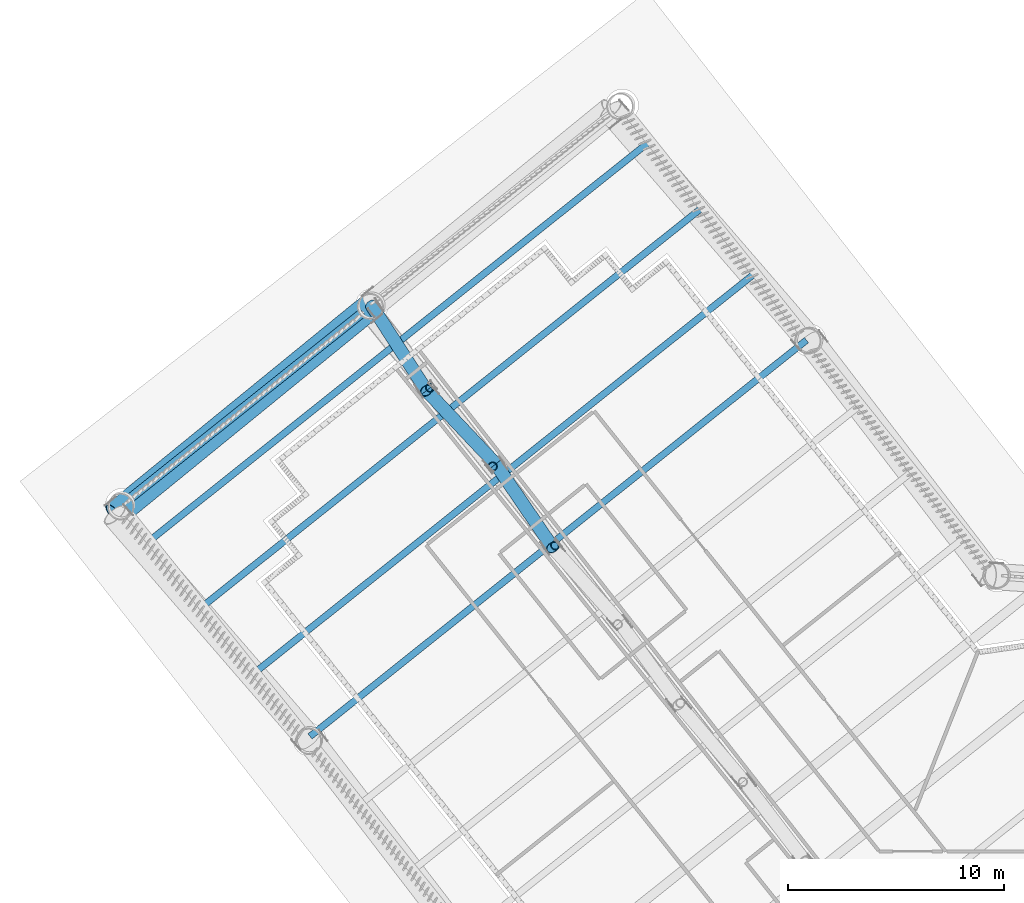
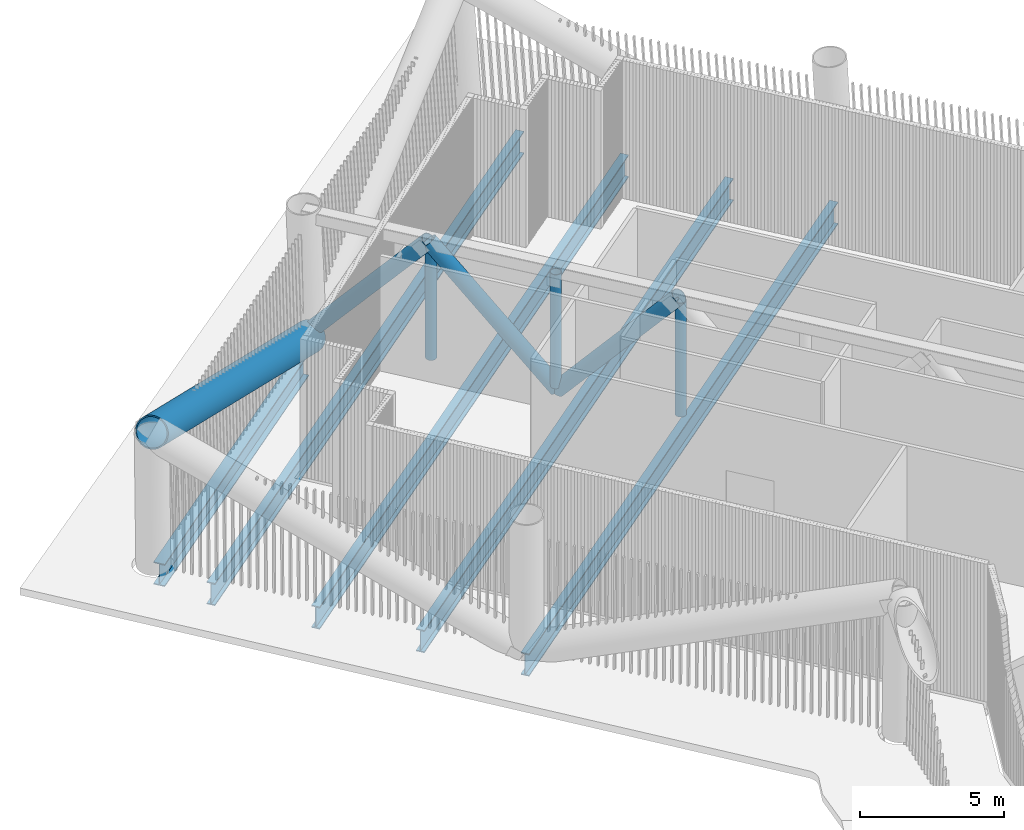
# One storey, part 11 of 48: 7 members, 5 beams.
"""IFC4 building model written with IfcOpenShell, lengths in metres."""

from ifc_helpers import new_model, si_unit, direction, frame, origin, origin_2d, place, context, subcontext, project, spatial, hollow_circle, i_section, extrude, material, material_profile, profile_set, type_object, element, save


model = new_model("IFC4")

# Units and contexts
model_context = context("Model", 3, precision=1e-05, world=origin(), true_north=direction((0.0, 1.0)))
body_context = subcontext(model_context, "Body", "Model", "MODEL_VIEW")
ifc_project = project(units=[si_unit("LENGTHUNIT", "METRE"), si_unit("AREAUNIT", "SQUARE_METRE"), si_unit("VOLUMEUNIT", "CUBIC_METRE"), si_unit("PLANEANGLEUNIT", "RADIAN"), si_unit("MASSUNIT", "GRAM", prefix="KILO")], contexts=[model_context])

# Site, building, storey
site_placement = place(None, origin())
site = spatial("IfcSite", under=ifc_project, at=site_placement, CompositionType="ELEMENT")
building_placement = place(site_placement, origin())
building = spatial("IfcBuilding", under=site, at=building_placement, Name="Tarsis Ring Headquarters", CompositionType="ELEMENT")
storey_placement = place(building_placement, frame((0.0, 0.0, 34.0)))
storey = spatial("IfcBuildingStorey", under=building, at=storey_placement, Name="L06", CompositionType="ELEMENT", Elevation=34.0)

# Beams
ifc_material_1 = material(Name="Structural steel S355", Category="steel")
ifc_material_profile_1 = material_profile(ifc_material_1, i_section(OverallWidth=0.309814453125, OverallDepth=0.949951171875, WebThickness=0.0244140625, FlangeThickness=0.0439453125, at=origin_2d()), Name="W36x256")
ifc_profile_set_1 = profile_set([ifc_material_profile_1], Name="Structural steel S355")
beam_type_1 = type_object("IfcBeamType", Name="FB Floor beam W36x256", PredefinedType="JOIST", material=ifc_profile_set_1)
beam_1_placement = place(storey_placement, frame((-12.852294921875, 39.642822265625, -0.77490234375), z_axis=(-0.781524332397, -0.623874761368, 0.0), x_axis=(0.623874761368, -0.781524332397, 0.0)))
element("IfcBeam", 1, at=beam_1_placement, inside=storey, type_object=beam_type_1, Name="Floor beam FB11", PredefinedType="JOIST", context=body_context, shape_type="SweptSolid", body=[
    extrude(i_section(OverallWidth=0.309814453125, OverallDepth=0.949951171875, WebThickness=0.0244140625, FlangeThickness=0.0439453125, at=origin_2d()), origin(), (0.0, 0.0, 1.0), 29.3759765625),
])
for number, where, z_axis, x_axis, name in (
    (2, (-15.28564453125, 42.690673828125, -0.77490234375), (-0.781521097597, -0.623878813562, 0.0), (0.623878813562, -0.781521097597, 0.0), "Floor beam FB11"),
    (3, (-17.71875, 45.738525390625, -0.77490234375), (-0.781521097597, -0.623878813562, 0.0), (0.623878813562, -0.781521097597, 0.0), "Floor beam FB11"),
    (4, (-20.15185546875, 48.78662109375, -0.77490234375), (-0.781521097597, -0.623878813562, 0.0), (0.623878813562, -0.781521097597, 0.0), "Floor beam FB11"),
):
    element("IfcBeam", number, at=place(storey_placement, frame(where, z_axis=z_axis, x_axis=x_axis)), inside=storey, type_object=beam_type_1, Name=name, PredefinedType="JOIST", context=body_context, shape_type="SweptSolid", body=[
        extrude(i_section(OverallWidth=0.309814453125, OverallDepth=0.949951171875, WebThickness=0.0244140625, FlangeThickness=0.0439453125, at=origin_2d()), origin(), (0.0, 0.0, 1.0), 29.375732421875),
    ])

# Members
ifc_material_profile_2 = material_profile(ifc_material_1, hollow_circle(Radius=0.3046875, WallThickness=0.02490234375, at=origin_2d()), Name="CHS 610x25")
ifc_profile_set_2 = profile_set([ifc_material_profile_2], Name="Structural steel S355")
member_type_1 = type_object("IfcMemberType", Name="OD Outrigger diagonal CHS 610x25", PredefinedType="BRACE", material=ifc_profile_set_2)
member_1_placement = place(storey_placement, frame((-24.58837890625, 30.056396484375, 5.5859375), z_axis=(-0.37113805422, 0.544480465772, -0.752195165567), x_axis=(-0.826297001924, -0.563234644363, 0.0)))
element("IfcMember", 5, at=member_1_placement, inside=storey, type_object=member_type_1, Name="Outrigger diagonal OD1", PredefinedType="BRACE", context=body_context, shape_type="SweptSolid", body=[
    extrude(hollow_circle(Radius=0.3046875, WallThickness=0.02490234375, at=origin_2d()), origin(), (0.0, 0.0, 1.0), 7.088623046875),
])
member_2_placement = place(storey_placement, frame((-27.21923828125, 33.916015625, 0.25390625), z_axis=(-0.452123936684, 0.479232083733, 0.752276914306), x_axis=(-0.727379865806, -0.686235040507, 0.0)))
element("IfcMember", 6, at=member_2_placement, inside=storey, type_object=member_type_1, Name="Outrigger diagonal OD1", PredefinedType="BRACE", context=body_context, shape_type="SweptSolid", body=[
    extrude(hollow_circle(Radius=0.3046875, WallThickness=0.02490234375, at=origin_2d()), origin(), (0.0, 0.0, 1.0), 7.087890625),
])
member_3_placement = place(storey_placement, frame((-30.423828125, 37.312744140625, 5.5859375), z_axis=(-0.357256677394, 0.554773105064, -0.751395014859), x_axis=(-0.840753003662, -0.541418864498, 0.0)))
element("IfcMember", 7, at=member_3_placement, inside=storey, type_object=member_type_1, Name="Outrigger diagonal OD1", PredefinedType="BRACE", context=body_context, shape_type="SweptSolid", body=[
    extrude(hollow_circle(Radius=0.3046875, WallThickness=0.02490234375, at=origin_2d()), origin(), (0.0, 0.0, 1.0), 7.09619140625),
])
ifc_material_profile_3 = material_profile(ifc_material_1, hollow_circle(Radius=0.203125, WallThickness=0.01611328125, at=origin_2d()), Name="CHS 406x16")
ifc_profile_set_3 = profile_set([ifc_material_profile_3], Name="Structural steel S355")
member_type_2 = type_object("IfcMemberType", Name="OV Outrigger post CHS 406x16", PredefinedType="STRUT", material=ifc_profile_set_3)
for number, where, z_axis, x_axis, name in (
    (8, (-24.468994140625, 30.15283203125, 0.508056640625), (0.0, 0.0, 1.0), (1.0, 0.0, 0.0), "Outrigger post OV1"),
    (9, (-27.36279296875, 33.80029296875, 0.508056640625), (0.0, 0.0, 1.0), (1.0, 0.0, 0.0), "Outrigger post OV1"),
    (10, (-30.256591796875, 37.44775390625, 0.508056640625), (0.0, 0.0, 1.0), (1.0, 0.0, 0.0), "Outrigger post OV1"),
):
    element("IfcMember", number, at=place(storey_placement, frame(where, z_axis=z_axis, x_axis=x_axis)), inside=storey, type_object=member_type_2, Name=name, PredefinedType="STRUT", context=body_context, shape_type="SweptSolid", body=[
        extrude(hollow_circle(Radius=0.203125, WallThickness=0.01611328125, at=origin_2d()), origin(), (0.0, 0.0, 1.0), 4.823974609375),
    ])
ifc_material_2 = material(Name="Structural steel S460", Category="steel")
ifc_material_profile_4 = material_profile(ifc_material_2, hollow_circle(Radius=0.609619140625, WallThickness=0.050048828125, at=origin_2d()), Name="CHS 1219x50")
ifc_profile_set_4 = profile_set([ifc_material_profile_4], Name="Structural steel S460")
member_type_3 = type_object("IfcMemberType", Name="TD Belt truss diagonal CHS 1219x50", PredefinedType="BRACE", material=ifc_profile_set_4)
member_4_placement = place(storey_placement, frame((-32.94091796875, 41.26416015625, 0.0), z_axis=(-0.721894498406, -0.588535079784, 0.363998342077), x_axis=(0.63188247286, -0.775064217012, 0.0)))
element("IfcMember", 11, at=member_4_placement, inside=storey, type_object=member_type_3, Name="Belt truss diagonal TD1", PredefinedType="BRACE", context=body_context, shape_type="SweptSolid", body=[
    extrude(hollow_circle(Radius=0.609619140625, WallThickness=0.050048828125, at=origin_2d()), origin(), (0.0, 0.0, 1.0), 16.483642578125),
])

# Beam
ifc_material_profile_5 = material_profile(ifc_material_1, i_section(OverallWidth=0.42431640625, OverallDepth=0.947509765625, WebThickness=0.02392578125, FlangeThickness=0.042724609375, at=origin_2d()), Name="W36x302")
ifc_profile_set_5 = profile_set([ifc_material_profile_5], Name="Structural steel S355")
beam_type_2 = type_object("IfcBeamType", Name="XG Ring girder W36x302", PredefinedType="BEAM", material=ifc_profile_set_5)
beam_2_placement = place(storey_placement, frame((-33.36962890625, 40.921875, -0.773681640625), z_axis=(-0.781521959329, -0.623877734084, 0.0), x_axis=(0.623877734084, -0.781521959329, 0.0)))
element("IfcBeam", 12, at=beam_2_placement, inside=storey, type_object=beam_type_2, Name="Ring girder XG1", PredefinedType="BEAM", context=body_context, shape_type="SweptSolid", body=[
    extrude(i_section(OverallWidth=0.42431640625, OverallDepth=0.947509765625, WebThickness=0.02392578125, FlangeThickness=0.042724609375, at=origin_2d()), origin(), (0.0, 0.0, 1.0), 13.70263671875),
])

save(model, "model.ifc")
